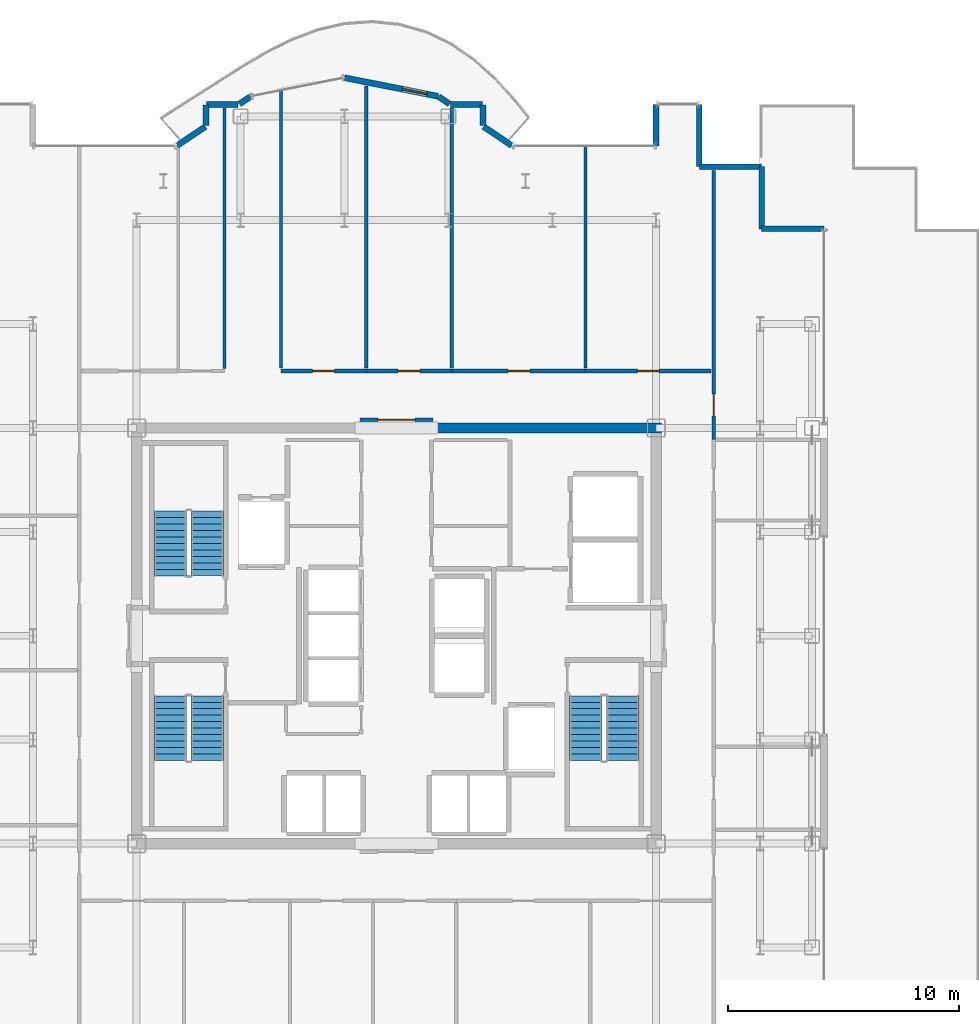
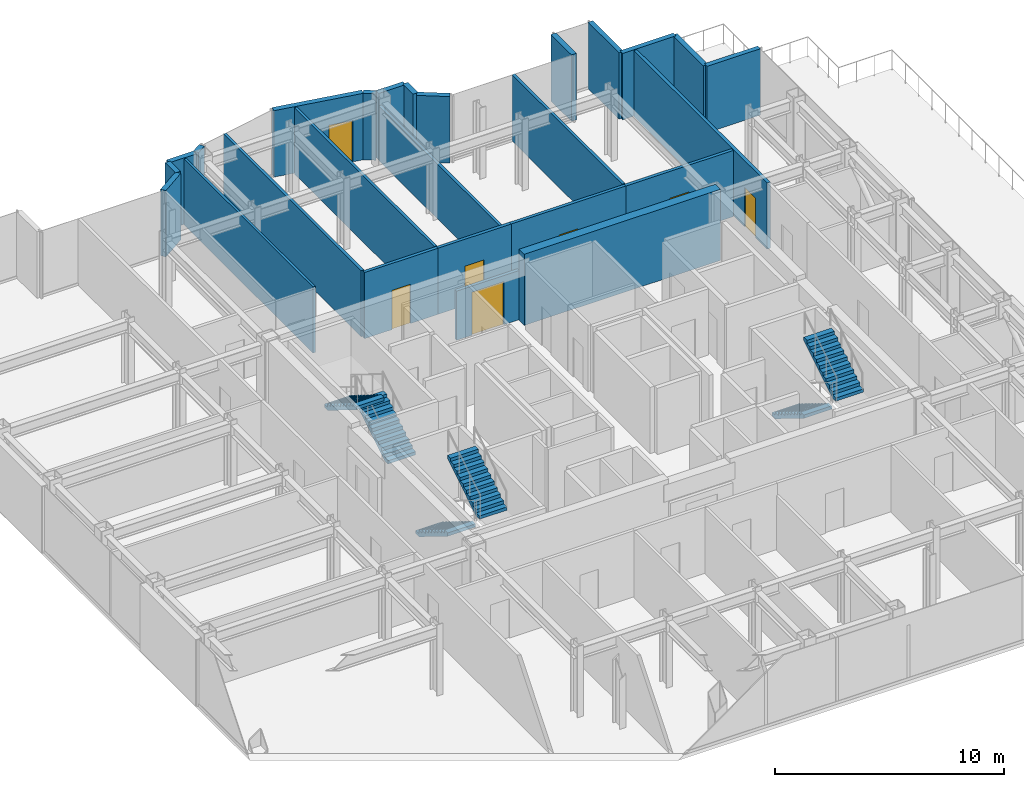
# One storey, part 15 of 17: 26 walls, 7 doors, 6 stair flights, 7 openings, 3 elements without a shape of their own.
"""IFC4 building model written with IfcOpenShell, lengths in metres."""

from ifc_helpers import new_model, si_unit, direction, frame, frame_2d, origin, place, context, subcontext, project, spatial, polyline, rectangle, outline, extrude, source, transform, mapped, material, layer, layer_set, type_object, element, fill, aggregate, save


model = new_model("IFC4")

# Units and contexts
model_context = context("Model", 3, precision=1e-05, world=origin(), true_north=direction((0.0, 1.0)))
body_context = subcontext(model_context, "Body", "Model", "MODEL_VIEW")
ifc_project = project(units=[si_unit("LENGTHUNIT", "METRE"), si_unit("AREAUNIT", "SQUARE_METRE"), si_unit("VOLUMEUNIT", "CUBIC_METRE"), si_unit("PLANEANGLEUNIT", "RADIAN"), si_unit("MASSUNIT", "GRAM", prefix="KILO")], contexts=[model_context])

# Site, building, storey
site_placement = place(None, origin())
site = spatial("IfcSite", under=ifc_project, at=site_placement, CompositionType="ELEMENT")
building_placement = place(site_placement, origin())
building = spatial("IfcBuilding", under=site, at=building_placement, Name="Nefas-Gora Pilgrimage Tower", CompositionType="ELEMENT")
storey_placement = place(building_placement, frame((0.0, 0.0, 264.60009765625)))
storey = spatial("IfcBuildingStorey", under=building, at=storey_placement, Name="L66", CompositionType="ELEMENT", Elevation=264.60009765625)

# Walls
ifc_material_1 = material(Name="Concrete C50/60", Category="concrete")
ifc_layer_1 = layer(ifc_material_1, 0.449951171875)
ifc_layer_set_1 = layer_set([ifc_layer_1], Name="Concrete C50/60")
wall_type_1 = type_object("IfcWallType", Name="SW-CORE-450", PredefinedType="SHEAR", material=ifc_layer_set_1)
shared_shape_1 = source(origin(), body_context, "Body", "SweptSolid", [
    extrude(rectangle(XDim=9.925048828125, YDim=0.449951171875, at=frame_2d((4.96240234375, 0.0))), origin(), (0.0, 0.0, 1.0), 3.7998046875),
])
wall_1_placement = place(storey_placement, frame((1.550048828125, 9.0, 0.0), z_axis=(0.0, 0.0, 1.0), x_axis=(1.0, 0.0, 0.0)))
element("IfcWall", 1, at=wall_1_placement, inside=storey, type_object=wall_type_1, Name="L66 Core Shear Wall N-East", PredefinedType="SHEAR", context=body_context, shape_type="MappedRepresentation", body=[
    mapped(shared_shape_1, transform((0.0, 0.0, 0.0), x_axis=(1.0, 0.0, 0.0), y_axis=(0.0, 1.0, 0.0), z_axis=(0.0, 0.0, 1.0), scale=1.0)),
])
ifc_material_2 = material(Name="Precast concrete C40/50", Category="concrete")
ifc_layer_2 = layer(ifc_material_2, 0.260009765625)
ifc_layer_set_2 = layer_set([ifc_layer_2], Name="Precast concrete C40/50")
wall_type_2 = type_object("IfcWallType", Name="EW-PORTAL-260", PredefinedType="SOLIDWALL", material=ifc_layer_set_2)
shared_shape_2 = source(origin(), body_context, "Body", "SweptSolid", [
    extrude(rectangle(XDim=1.800048828125, YDim=0.260009765625, at=frame_2d((0.89990234375, 0.0))), origin(), (0.0, 0.0, 1.0), 3.5498046875),
])
wall_2_placement = place(storey_placement, frame((11.25, 23.02001953125, 0.0), z_axis=(0.0, 0.0, 1.0), x_axis=(0.0, -1.0, 0.0)))
element("IfcWall", 2, at=wall_2_placement, inside=storey, type_object=wall_type_2, Name="L66 Lobe Shoulder Precast Spandrel Pier 10", PredefinedType="SOLIDWALL", context=body_context, shape_type="MappedRepresentation", body=[
    mapped(shared_shape_2, transform((0.0, 0.0, 0.0), x_axis=(1.0, 0.0, 0.0), y_axis=(0.0, 1.0, 0.0), z_axis=(0.0, 0.0, 1.0), scale=1.0)),
])
ifc_material_3 = material(Name="Precast concrete C45/55", Category="concrete")
ifc_layer_3 = layer(ifc_material_3, 0.239990234375)
ifc_layer_set_3 = layer_set([ifc_layer_3], Name="Precast concrete C45/55")
wall_type_3 = type_object("IfcWallType", Name="EW-SERR-240", PredefinedType="SHEAR", material=ifc_layer_set_3)
shared_shape_3 = source(origin(), body_context, "Body", "SweptSolid", [
    extrude(rectangle(XDim=2.699951171875, YDim=0.239990234375, at=frame_2d((1.35009765625, 0.0))), origin(), (0.0, 0.0, 1.0), 3.5498046875),
])
for number, where, z_axis, x_axis, name in (
    (3, (18.52001953125, 17.6201171875, 0.0), (0.0, 0.0, 1.0), (-1.0, 0.0, 0.0), "L66 Serrated Corner Shear Pier Wall 6"),
    (4, (15.820068359375, 17.6201171875, 0.0), (0.0, 0.0, 1.0), (0.0, 1.0, 0.0), "L66 Serrated Corner Shear Pier Wall 7"),
    (5, (15.820068359375, 20.320068359375, 0.0), (0.0, 0.0, 1.0), (-1.0, 0.0, 0.0), "L66 Serrated Corner Shear Pier Wall 8"),
    (6, (13.1201171875, 20.320068359375, 0.0), (0.0, 0.0, 1.0), (0.0, 1.0, 0.0), "L66 Serrated Corner Shear Pier Wall 9"),
):
    element("IfcWall", number, at=place(storey_placement, frame(where, z_axis=z_axis, x_axis=x_axis)), inside=storey, type_object=wall_type_3, Name=name, PredefinedType="SHEAR", context=body_context, shape_type="MappedRepresentation", body=[
        mapped(shared_shape_3, transform((0.0, 0.0, 0.0), x_axis=(1.0, 0.0, 0.0), y_axis=(0.0, 1.0, 0.0), z_axis=(0.0, 0.0, 1.0), scale=1.0)),
    ])
shared_shape_4 = source(origin(), body_context, "Body", "SweptSolid", [
    extrude(rectangle(XDim=1.468994140625, YDim=0.260009765625, at=frame_2d((0.734375, 0.0))), origin(), (0.0, 0.0, 1.0), 3.5498046875),
])
for number, where, z_axis, x_axis, name in (
    (7, (4.99462890625, 21.235595703125, 0.0), (0.0, 0.0, 1.0), (-0.831461760506, 0.555581983884, 0.0), "L66 Lobe Shoulder Precast Spandrel Pier 11"),
    (8, (-8.273193359375, 22.0517578125, 0.0), (0.0, 0.0, 1.0), (-0.831461760506, -0.555581983884, 0.0), "L66 Lobe Shoulder Precast Spandrel Pier 19"),
):
    element("IfcWall", number, at=place(storey_placement, frame(where, z_axis=z_axis, x_axis=x_axis)), inside=storey, type_object=wall_type_2, Name=name, PredefinedType="SOLIDWALL", context=body_context, shape_type="MappedRepresentation", body=[
        mapped(shared_shape_4, transform((0.0, 0.0, 0.0), x_axis=(1.0, 0.0, 0.0), y_axis=(0.0, 1.0, 0.0), z_axis=(0.0, 0.0, 1.0), scale=1.0)),
    ])
shared_shape_5 = source(origin(), body_context, "Body", "SweptSolid", [
    extrude(rectangle(XDim=0.896728515625, YDim=0.260009765625, at=frame_2d((0.4482421875, 0.0))), origin(), (0.0, 0.0, 1.0), 3.5498046875),
])
for number, where, z_axis, x_axis, name in (
    (9, (3.75, 22.09521484375, 0.0), (0.0, 0.0, 1.0), (0.0, 1.0, 0.0), "L66 Lobe Shoulder Precast Spandrel Pier 12"),
    (10, (-8.25, 22.991943359375, 0.0), (0.0, 0.0, 1.0), (0.0, -1.0, 0.0), "L66 Lobe Shoulder Precast Spandrel Pier 18"),
):
    element("IfcWall", number, at=place(storey_placement, frame(where, z_axis=z_axis, x_axis=x_axis)), inside=storey, type_object=wall_type_2, Name=name, PredefinedType="SOLIDWALL", context=body_context, shape_type="MappedRepresentation", body=[
        mapped(shared_shape_5, transform((0.0, 0.0, 0.0), x_axis=(1.0, 0.0, 0.0), y_axis=(0.0, 1.0, 0.0), z_axis=(0.0, 0.0, 1.0), scale=1.0)),
    ])
shared_shape_6 = source(origin(), body_context, "Body", "SweptSolid", [
    extrude(rectangle(XDim=1.369873046875, YDim=0.260009765625, at=frame_2d((0.68505859375, 0.0))), origin(), (0.0, 0.0, 1.0), 3.5498046875),
])
for number, where, z_axis, x_axis, name in (
    (11, (3.721923828125, 23.02001953125, 0.0), (0.0, 0.0, 1.0), (-1.0, 0.0, 0.0), "L66 Lobe Shoulder Precast Spandrel Pier 13"),
    (12, (-6.85205078125, 23.02001953125, 0.0), (0.0, 0.0, 1.0), (-1.0, 0.0, 0.0), "L66 Lobe Shoulder Precast Spandrel Pier 17"),
):
    element("IfcWall", number, at=place(storey_placement, frame(where, z_axis=z_axis, x_axis=x_axis)), inside=storey, type_object=wall_type_2, Name=name, PredefinedType="SOLIDWALL", context=body_context, shape_type="MappedRepresentation", body=[
        mapped(shared_shape_6, transform((0.0, 0.0, 0.0), x_axis=(1.0, 0.0, 0.0), y_axis=(0.0, 1.0, 0.0), z_axis=(0.0, 0.0, 1.0), scale=1.0)),
    ])
shared_shape_7 = source(origin(), body_context, "Body", "SweptSolid", [
    extrude(rectangle(XDim=0.5654296875, YDim=0.260009765625, at=frame_2d((0.28271484375, 0.0))), origin(), (0.0, 0.0, 1.0), 3.5498046875),
])
for number, where, z_axis, x_axis, name in (
    (13, (2.30078125, 23.03564453125, 0.0), (0.0, 0.0, 1.0), (-0.831651492666, 0.555297933317, 0.0), "L66 Lobe Shoulder Precast Spandrel Pier 14"),
    (14, (-6.33056640625, 23.349609375, 0.0), (0.0, 0.0, 1.0), (-0.831651492666, -0.555297933317, 0.0), "L66 Lobe Shoulder Precast Spandrel Pier 16"),
):
    element("IfcWall", number, at=place(storey_placement, frame(where, z_axis=z_axis, x_axis=x_axis)), inside=storey, type_object=wall_type_2, Name=name, PredefinedType="SOLIDWALL", context=body_context, shape_type="MappedRepresentation", body=[
        mapped(shared_shape_7, transform((0.0, 0.0, 0.0), x_axis=(1.0, 0.0, 0.0), y_axis=(0.0, 1.0, 0.0), z_axis=(0.0, 0.0, 1.0), scale=1.0)),
    ])

# Wall, opening, door
shared_shape_8 = source(origin(), body_context, "Body", "SweptSolid", [
    extrude(rectangle(XDim=4.136962890625, YDim=0.260009765625, at=frame_2d((2.068359375, 0.0))), origin(), (0.0, 0.0, 1.0), 3.5498046875),
])
wall_3_placement = place(storey_placement, frame((1.807373046875, 23.365234375, 0.0), z_axis=(0.0, 0.0, 1.0), x_axis=(-0.980782170794, 0.195105954428, 0.0)))
wall_3 = element("IfcWall", 15, at=wall_3_placement, inside=storey, type_object=wall_type_2, Name="L66 Insulated Terrace Portal Wall 15", PredefinedType="SOLIDWALL", context=body_context, shape_type="MappedRepresentation", body=[
    mapped(shared_shape_8, transform((0.0, 0.0, 0.0), x_axis=(1.0, 0.0, 0.0), y_axis=(0.0, 1.0, 0.0), z_axis=(0.0, 0.0, 1.0), scale=1.0)),
])
opening_1_placement = place(wall_3_placement, frame((0.48779296875, 0.0, 0.0)))
opening_1 = element("IfcOpeningElement", 16, at=opening_1_placement, cuts=wall_3, Name="Opening ED-B1", PredefinedType="OPENING", context=body_context, shape_type="SweptSolid", body=[
    extrude(rectangle(XDim=1.10009765625, YDim=2.199951171875, at=frame_2d((0.550048828125, 1.10009765625))), frame((0.0, 0.139892578125, 0.0), z_axis=(0.0, -1.0, 0.0), x_axis=(1.0, 0.0, 0.0)), (0.0, 0.0, 1.0), 0.280029296875),
])
ifc_material_4 = material(Name="Thermally broken glazed aluminium balcony door", Category="aluminium")
door_type_1 = type_object("IfcDoorType", Name="DR-EXT-BAL-1100", OperationType="NOTDEFINED", PredefinedType="DOOR", material=ifc_material_4)
shared_shape_9 = source(origin(), body_context, "Body", "SweptSolid", [
    extrude(rectangle(XDim=1.10009765625, YDim=2.199951171875, at=frame_2d((0.550048828125, 1.10009765625))), frame((0.0, 0.02490234375, 0.0), z_axis=(0.0, -1.0, 0.0), x_axis=(1.0, 0.0, 0.0)), (0.0, 0.0, 1.0), 0.050048828125),
])
door_1_placement = place(opening_1_placement, origin())
door_1 = element("IfcDoor", 17, at=door_1_placement, inside=storey, type_object=door_type_1, Name="L66 Exterior Door (L66 N Lobe Wave Balcony)", OperationType="SINGLE_SWING_RIGHT", OverallHeight=2.199951171875, OverallWidth=1.10009765625, PredefinedType="DOOR", context=body_context, shape_type="MappedRepresentation", body=[
    mapped(shared_shape_9, transform((0.0, 0.0, 0.0), x_axis=(1.0, 0.0, 0.0), y_axis=(0.0, 1.0, 0.0), z_axis=(0.0, 0.0, 1.0), scale=1.0)),
])
fill(opening_1, door_1)

# Wall
ifc_material_5 = material(Name="Moisture-resistant fire-rated gypsum partition")
ifc_layer_4 = layer(ifc_material_5, 0.1201171875)
ifc_layer_set_4 = layer_set([ifc_layer_4], Name="Moisture-resistant fire-rated gypsum partition")
wall_type_4 = type_object("IfcWallType", Name="IW-WET-120", PredefinedType="PLUMBINGWALL", material=ifc_layer_set_4)
shared_shape_10 = source(origin(), body_context, "Body", "SweptSolid", [
    extrude(rectangle(XDim=11.280029296875, YDim=0.1201171875, at=frame_2d((5.64013671875, 0.0))), origin(), (0.0, 0.0, 1.0), 3.534912109375),
])
wall_4_placement = place(storey_placement, frame((-7.449951171875, 11.570068359375, 0.0), z_axis=(0.0, 0.0, 1.0), x_axis=(0.0, 1.0, 0.0)))
element("IfcWall", 18, at=wall_4_placement, inside=storey, type_object=wall_type_4, Name="L66 Accessible Unisex WC Partition Wall 30", PredefinedType="PLUMBINGWALL", context=body_context, shape_type="MappedRepresentation", body=[
    mapped(shared_shape_10, transform((0.0, 0.0, 0.0), x_axis=(1.0, 0.0, 0.0), y_axis=(0.0, 1.0, 0.0), z_axis=(0.0, 0.0, 1.0), scale=1.0)),
])

# Wall, opening, door
ifc_material_6 = material(Name="Gypsum acoustic stud partition")
ifc_layer_5 = layer(ifc_material_6, 0.159912109375)
ifc_layer_set_5 = layer_set([ifc_layer_5], Name="Gypsum acoustic stud partition")
wall_type_5 = type_object("IfcWallType", Name="IW-CORR-160", PredefinedType="PARTITIONING", material=ifc_layer_set_5)
shared_shape_11 = source(origin(), body_context, "Body", "SweptSolid", [
    extrude(rectangle(XDim=3.704833984375, YDim=0.159912109375, at=frame_2d((1.8525390625, 0.0))), origin(), (0.0, 0.0, 1.0), 3.534912109375),
])
wall_5_placement = place(storey_placement, frame((-5.0048828125, 11.469970703125, 0.0), z_axis=(0.0, 0.0, 1.0), x_axis=(1.0, 0.0, 0.0)))
wall_5 = element("IfcWall", 19, at=wall_5_placement, inside=storey, type_object=wall_type_5, Name="L66 Pilgrim Contemplative Lounge Partition Wall 49", PredefinedType="PARTITIONING", context=body_context, shape_type="MappedRepresentation", body=[
    mapped(shared_shape_11, transform((0.0, 0.0, 0.0), x_axis=(1.0, 0.0, 0.0), y_axis=(0.0, 1.0, 0.0), z_axis=(0.0, 0.0, 1.0), scale=1.0)),
])
opening_2_placement = place(wall_5_placement, frame((1.37744140625, 0.0, 0.0)))
opening_2 = element("IfcOpeningElement", 20, at=opening_2_placement, cuts=wall_5, Name="Opening ID-GR1", PredefinedType="OPENING", context=body_context, shape_type="SweptSolid", body=[
    extrude(rectangle(XDim=0.949951171875, YDim=2.10009765625, at=frame_2d((0.47509765625, 1.050048828125))), frame((0.0, 0.08984375, 0.0), z_axis=(0.0, -1.0, 0.0), x_axis=(1.0, 0.0, 0.0)), (0.0, 0.0, 1.0), 0.179931640625),
])
ifc_material_7 = material(Name="Solid core oak fire-rated guest entrance door")
door_type_2 = type_object("IfcDoorType", Name="DR-INT-GUEST-950", OperationType="NOTDEFINED", PredefinedType="DOOR", material=ifc_material_7)
shared_shape_12 = source(origin(), body_context, "Body", "SweptSolid", [
    extrude(rectangle(XDim=0.949951171875, YDim=2.10009765625, at=frame_2d((0.47509765625, 1.050048828125))), frame((0.0, 0.02490234375, 0.0), z_axis=(0.0, -1.0, 0.0), x_axis=(1.0, 0.0, 0.0)), (0.0, 0.0, 1.0), 0.050048828125),
])
door_2_placement = place(opening_2_placement, origin())
door_2 = element("IfcDoor", 21, at=door_2_placement, inside=storey, type_object=door_type_2, Name="L66 Pilgrim Contemplative Lounge Door 23", OperationType="SINGLE_SWING_LEFT", OverallHeight=2.10009765625, OverallWidth=0.949951171875, PredefinedType="DOOR", context=body_context, shape_type="MappedRepresentation", body=[
    mapped(shared_shape_12, transform((0.0, 0.0, 0.0), x_axis=(1.0, 0.0, 0.0), y_axis=(0.0, 1.0, 0.0), z_axis=(0.0, 0.0, 1.0), scale=1.0)),
])
fill(opening_2, door_2)

# Wall
ifc_material_8 = material(Name="Gypsum twin-stud partition")
ifc_layer_6 = layer(ifc_material_8, 0.139892578125)
ifc_layer_set_6 = layer_set([ifc_layer_6], Name="Gypsum twin-stud partition")
wall_type_6 = type_object("IfcWallType", Name="IW-UNIT-140", PredefinedType="PARTITIONING", material=ifc_layer_set_6)
shared_shape_13 = source(origin(), body_context, "Body", "SweptSolid", [
    extrude(rectangle(XDim=12.056640625, YDim=0.139892578125, at=frame_2d((6.0283203125, 0.0))), origin(), (0.0, 0.0, 1.0), 3.534912109375),
])
wall_6_placement = place(storey_placement, frame((-4.9951171875, 11.590087890625, 0.0), z_axis=(0.0, 0.0, 1.0), x_axis=(0.0, 1.0, 0.0)))
element("IfcWall", 22, at=wall_6_placement, inside=storey, type_object=wall_type_6, Name="L66 Pilgrim Contemplative Lounge Partition Wall 51", PredefinedType="PARTITIONING", context=body_context, shape_type="MappedRepresentation", body=[
    mapped(shared_shape_13, transform((0.0, 0.0, 0.0), x_axis=(1.0, 0.0, 0.0), y_axis=(0.0, 1.0, 0.0), z_axis=(0.0, 0.0, 1.0), scale=1.0)),
])

# Wall, opening, door
shared_shape_14 = source(origin(), body_context, "Body", "SweptSolid", [
    extrude(rectangle(XDim=3.705078125, YDim=0.159912109375, at=frame_2d((1.8525390625, 0.0))), origin(), (0.0, 0.0, 1.0), 3.534912109375),
])
wall_7_placement = place(storey_placement, frame((-1.300048828125, 11.469970703125, 0.0), z_axis=(0.0, 0.0, 1.0), x_axis=(1.0, 0.0, 0.0)))
wall_7 = element("IfcWall", 23, at=wall_7_placement, inside=storey, type_object=wall_type_5, Name="L66 Pilgrim Contemplative Lounge Partition Wall 52", PredefinedType="PARTITIONING", context=body_context, shape_type="MappedRepresentation", body=[
    mapped(shared_shape_14, transform((0.0, 0.0, 0.0), x_axis=(1.0, 0.0, 0.0), y_axis=(0.0, 1.0, 0.0), z_axis=(0.0, 0.0, 1.0), scale=1.0)),
])
opening_3_placement = place(wall_7_placement, frame((1.37744140625, 0.0, 0.0)))
opening_3 = element("IfcOpeningElement", 24, at=opening_3_placement, cuts=wall_7, Name="Opening ID-GR1", PredefinedType="OPENING", context=body_context, shape_type="SweptSolid", body=[
    extrude(rectangle(XDim=0.949951171875, YDim=2.10009765625, at=frame_2d((0.47509765625, 1.050048828125))), frame((0.0, 0.08984375, 0.0), z_axis=(0.0, -1.0, 0.0), x_axis=(1.0, 0.0, 0.0)), (0.0, 0.0, 1.0), 0.179931640625),
])
door_3_placement = place(opening_3_placement, origin())
door_3 = element("IfcDoor", 25, at=door_3_placement, inside=storey, type_object=door_type_2, Name="L66 Pilgrim Contemplative Lounge Door 24", OperationType="SINGLE_SWING_RIGHT", OverallHeight=2.10009765625, OverallWidth=0.949951171875, PredefinedType="DOOR", context=body_context, shape_type="MappedRepresentation", body=[
    mapped(shared_shape_12, transform((0.0, 0.0, 0.0), x_axis=(1.0, 0.0, 0.0), y_axis=(0.0, 1.0, 0.0), z_axis=(0.0, 0.0, 1.0), scale=1.0)),
])
fill(opening_3, door_3)

shared_shape_15 = source(origin(), body_context, "Body", "SweptSolid", [
    extrude(rectangle(XDim=5.81005859375, YDim=0.159912109375, at=frame_2d((2.905029296875, 0.0))), origin(), (0.0, 0.0, 1.0), 3.534912109375),
])
wall_8_placement = place(storey_placement, frame((2.39501953125, 11.469970703125, 0.0), z_axis=(0.0, 0.0, 1.0), x_axis=(1.0, 0.0, 0.0)))
wall_8 = element("IfcWall", 26, at=wall_8_placement, inside=storey, type_object=wall_type_5, Name="L66 Pilgrim Contemplative Lounge Partition Wall 54", PredefinedType="PARTITIONING", context=body_context, shape_type="MappedRepresentation", body=[
    mapped(shared_shape_15, transform((0.0, 0.0, 0.0), x_axis=(1.0, 0.0, 0.0), y_axis=(0.0, 1.0, 0.0), z_axis=(0.0, 0.0, 1.0), scale=1.0)),
])
opening_4_placement = place(wall_8_placement, frame((2.429931640625, 0.0, 0.0)))
opening_4 = element("IfcOpeningElement", 27, at=opening_4_placement, cuts=wall_8, Name="Opening ID-GR1", PredefinedType="OPENING", context=body_context, shape_type="SweptSolid", body=[
    extrude(rectangle(XDim=0.949951171875, YDim=2.10009765625, at=frame_2d((0.47509765625, 1.050048828125))), frame((0.0, 0.08984375, 0.0), z_axis=(0.0, -1.0, 0.0), x_axis=(1.0, 0.0, 0.0)), (0.0, 0.0, 1.0), 0.179931640625),
])
door_4_placement = place(opening_4_placement, origin())
door_4 = element("IfcDoor", 28, at=door_4_placement, inside=storey, type_object=door_type_2, Name="L66 Pilgrim Contemplative Lounge Door 25", OperationType="SINGLE_SWING_LEFT", OverallHeight=2.10009765625, OverallWidth=0.949951171875, PredefinedType="DOOR", context=body_context, shape_type="MappedRepresentation", body=[
    mapped(shared_shape_12, transform((0.0, 0.0, 0.0), x_axis=(1.0, 0.0, 0.0), y_axis=(0.0, 1.0, 0.0), z_axis=(0.0, 0.0, 1.0), scale=1.0)),
])
fill(opening_4, door_4)

# Wall
shared_shape_16 = source(origin(), body_context, "Body", "SweptSolid", [
    extrude(rectangle(XDim=9.64990234375, YDim=0.139892578125, at=frame_2d((4.824951171875, 0.0))), origin(), (0.0, 0.0, 1.0), 3.534912109375),
])
wall_9_placement = place(storey_placement, frame((8.195068359375, 11.590087890625, 0.0), z_axis=(0.0, 0.0, 1.0), x_axis=(0.0, 1.0, 0.0)))
element("IfcWall", 29, at=wall_9_placement, inside=storey, type_object=wall_type_6, Name="L66 Pilgrim Contemplative Lounge Partition Wall 55", PredefinedType="PARTITIONING", context=body_context, shape_type="MappedRepresentation", body=[
    mapped(shared_shape_16, transform((0.0, 0.0, 0.0), x_axis=(1.0, 0.0, 0.0), y_axis=(0.0, 1.0, 0.0), z_axis=(0.0, 0.0, 1.0), scale=1.0)),
])

# Wall, opening, door
shared_shape_17 = source(origin(), body_context, "Body", "SweptSolid", [
    extrude(rectangle(XDim=5.425048828125, YDim=0.159912109375, at=frame_2d((2.71240234375, 0.0))), origin(), (0.0, 0.0, 1.0), 3.534912109375),
])
wall_10_placement = place(storey_placement, frame((8.195068359375, 11.469970703125, 0.0), z_axis=(0.0, 0.0, 1.0), x_axis=(1.0, 0.0, 0.0)))
wall_10 = element("IfcWall", 30, at=wall_10_placement, inside=storey, type_object=wall_type_5, Name="L66 Pilgrim Contemplative Lounge Partition Wall 56", PredefinedType="PARTITIONING", context=body_context, shape_type="MappedRepresentation", body=[
    mapped(shared_shape_17, transform((0.0, 0.0, 0.0), x_axis=(1.0, 0.0, 0.0), y_axis=(0.0, 1.0, 0.0), z_axis=(0.0, 0.0, 1.0), scale=1.0)),
])
opening_5_placement = place(wall_10_placement, frame((2.237548828125, 0.0, 0.0)))
opening_5 = element("IfcOpeningElement", 31, at=opening_5_placement, cuts=wall_10, Name="Opening ID-GR1", PredefinedType="OPENING", context=body_context, shape_type="SweptSolid", body=[
    extrude(rectangle(XDim=0.949951171875, YDim=2.10009765625, at=frame_2d((0.47509765625, 1.050048828125))), frame((0.0, 0.08984375, 0.0), z_axis=(0.0, -1.0, 0.0), x_axis=(1.0, 0.0, 0.0)), (0.0, 0.0, 1.0), 0.179931640625),
])
door_5_placement = place(opening_5_placement, origin())
door_5 = element("IfcDoor", 32, at=door_5_placement, inside=storey, type_object=door_type_2, Name="L66 Pilgrim Contemplative Lounge Door 26", OperationType="SINGLE_SWING_RIGHT", OverallHeight=2.10009765625, OverallWidth=0.949951171875, PredefinedType="DOOR", context=body_context, shape_type="MappedRepresentation", body=[
    mapped(shared_shape_12, transform((0.0, 0.0, 0.0), x_axis=(1.0, 0.0, 0.0), y_axis=(0.0, 1.0, 0.0), z_axis=(0.0, 0.0, 1.0), scale=1.0)),
])
fill(opening_5, door_5)

shared_shape_18 = source(origin(), body_context, "Body", "SweptSolid", [
    extrude(rectangle(XDim=3.16015625, YDim=0.159912109375, at=frame_2d((1.580078125, 0.0))), origin(), (0.0, 0.0, 1.0), 2.625),
])
wall_11_placement = place(storey_placement, frame((-1.580078125, 9.35009765625, 0.0), z_axis=(0.0, 0.0, 1.0), x_axis=(1.0, 0.0, 0.0)))
wall_11 = element("IfcWall", 33, at=wall_11_placement, inside=storey, type_object=wall_type_5, Name="L66 Central Lift Lobby North Portal Wall 15", PredefinedType="PARTITIONING", context=body_context, shape_type="MappedRepresentation", body=[
    mapped(shared_shape_18, transform((0.0, 0.0, 0.0), x_axis=(1.0, 0.0, 0.0), y_axis=(0.0, 1.0, 0.0), z_axis=(0.0, 0.0, 1.0), scale=1.0)),
])
opening_6_placement = place(wall_11_placement, frame((0.780029296875, 0.0, 0.0)))
opening_6 = element("IfcOpeningElement", 34, at=opening_6_placement, cuts=wall_11, Name="Opening ID-HL1", PredefinedType="OPENING", context=body_context, shape_type="SweptSolid", body=[
    extrude(rectangle(XDim=1.60009765625, YDim=2.300048828125, at=frame_2d((0.800048828125, 1.14990234375))), frame((0.0, 0.08984375, 0.0), z_axis=(0.0, -1.0, 0.0), x_axis=(1.0, 0.0, 0.0)), (0.0, 0.0, 1.0), 0.179931640625),
])
ifc_material_9 = material(Name="Double acoustic timber assembly hall door", Category="wood")
door_type_3 = type_object("IfcDoorType", Name="DR-INT-HALL-1600", OperationType="DOUBLE_DOOR_SINGLE_SWING", PredefinedType="DOOR", material=ifc_material_9)
shared_shape_19 = source(origin(), body_context, "Body", "SweptSolid", [
    extrude(rectangle(XDim=1.60009765625, YDim=2.300048828125, at=frame_2d((0.800048828125, 1.14990234375))), frame((0.0, 0.02490234375, 0.0), z_axis=(0.0, -1.0, 0.0), x_axis=(1.0, 0.0, 0.0)), (0.0, 0.0, 1.0), 0.050048828125),
])
door_6_placement = place(opening_6_placement, origin())
door_6 = element("IfcDoor", 35, at=door_6_placement, inside=storey, type_object=door_type_3, Name="L66 Central Lift Lobby North Portal Door 5", OperationType="DOUBLE_DOOR_SINGLE_SWING", OverallHeight=2.300048828125, OverallWidth=1.60009765625, PredefinedType="DOOR", context=body_context, shape_type="MappedRepresentation", body=[
    mapped(shared_shape_19, transform((0.0, 0.0, 0.0), x_axis=(1.0, 0.0, 0.0), y_axis=(0.0, 1.0, 0.0), z_axis=(0.0, 0.0, 1.0), scale=1.0)),
])
fill(opening_6, door_6)

shared_shape_20 = source(origin(), body_context, "Body", "SweptSolid", [
    extrude(rectangle(XDim=11.664794921875, YDim=0.159912109375, at=frame_2d((5.83251953125, 0.0))), origin(), (0.0, 0.0, 1.0), 3.534912109375),
])
wall_12_placement = place(storey_placement, frame((13.739990234375, 8.4951171875, 0.0), z_axis=(0.0, 0.0, 1.0), x_axis=(0.0, 1.0, 0.0)))
wall_12 = element("IfcWall", 36, at=wall_12_placement, inside=storey, type_object=wall_type_5, Name="L66 Pilgrim Contemplative Lounge Partition Wall 47", PredefinedType="PARTITIONING", context=body_context, shape_type="MappedRepresentation", body=[
    mapped(shared_shape_20, transform((0.0, 0.0, 0.0), x_axis=(1.0, 0.0, 0.0), y_axis=(0.0, 1.0, 0.0), z_axis=(0.0, 0.0, 1.0), scale=1.0)),
])
opening_7_placement = place(wall_12_placement, frame((1.032470703125, 0.0, 0.0)))
opening_7 = element("IfcOpeningElement", 37, at=opening_7_placement, cuts=wall_12, Name="Opening ID-GR1", PredefinedType="OPENING", context=body_context, shape_type="SweptSolid", body=[
    extrude(rectangle(XDim=0.949951171875, YDim=2.10009765625, at=frame_2d((0.47509765625, 1.050048828125))), frame((0.0, 0.08984375, 0.0), z_axis=(0.0, -1.0, 0.0), x_axis=(1.0, 0.0, 0.0)), (0.0, 0.0, 1.0), 0.179931640625),
])
door_7_placement = place(opening_7_placement, origin())
door_7 = element("IfcDoor", 38, at=door_7_placement, inside=storey, type_object=door_type_2, Name="L66 Pilgrim Contemplative Lounge Door 21", OperationType="SINGLE_SWING_LEFT", OverallHeight=2.10009765625, OverallWidth=0.949951171875, PredefinedType="DOOR", context=body_context, shape_type="MappedRepresentation", body=[
    mapped(shared_shape_12, transform((0.0, 0.0, 0.0), x_axis=(1.0, 0.0, 0.0), y_axis=(0.0, 1.0, 0.0), z_axis=(0.0, 0.0, 1.0), scale=1.0)),
])
fill(opening_7, door_7)

# Walls
shared_shape_21 = source(origin(), body_context, "Body", "SweptSolid", [
    extrude(rectangle(XDim=12.22216796875, YDim=0.139892578125, at=frame_2d((6.111083984375, 0.0))), origin(), (0.0, 0.0, 1.0), 3.534912109375),
])
wall_13_placement = place(storey_placement, frame((-1.31005859375, 11.590087890625, 0.0), z_axis=(0.0, 0.0, 1.0), x_axis=(0.0, 1.0, 0.0)))
element("IfcWall", 39, at=wall_13_placement, inside=storey, type_object=wall_type_6, Name="L66 Pilgrim Contemplative Lounge Partition Wall 50", PredefinedType="PARTITIONING", context=body_context, shape_type="MappedRepresentation", body=[
    mapped(shared_shape_21, transform((0.0, 0.0, 0.0), x_axis=(1.0, 0.0, 0.0), y_axis=(0.0, 1.0, 0.0), z_axis=(0.0, 0.0, 1.0), scale=1.0)),
])
shared_shape_22 = source(origin(), body_context, "Body", "SweptSolid", [
    extrude(rectangle(XDim=11.260009765625, YDim=0.139892578125, at=frame_2d((5.6298828125, 0.0))), origin(), (0.0, 0.0, 1.0), 2.9248046875),
])
wall_14_placement = place(storey_placement, frame((2.39501953125, 11.590087890625, 0.0), z_axis=(0.0, 0.0, 1.0), x_axis=(0.0, 1.0, 0.0)))
element("IfcWall", 40, at=wall_14_placement, inside=storey, type_object=wall_type_6, Name="L66 Pilgrim Contemplative Lounge Partition Wall 53", PredefinedType="PARTITIONING", context=body_context, shape_type="MappedRepresentation", body=[
    mapped(shared_shape_22, transform((0.0, 0.0, 0.0), x_axis=(1.0, 0.0, 0.0), y_axis=(0.0, 1.0, 0.0), z_axis=(0.0, 0.0, 1.0), scale=1.0)),
])

# Stair, stair flights
ifc_material_10 = material(Name="Concrete C45/55", Category="concrete")
stair_type = type_object("IfcStairType", Name="STR-1400-R1727", PredefinedType="HALF_TURN_STAIR", material=ifc_material_10)
stair_1_placement = place(storey_placement, origin())
stair_1 = element("IfcStair", 41, at=stair_1_placement, inside=storey, type_object=stair_type, Name="L66 Pressurised Tower Exit Stair ST-01", PredefinedType="HALF_TURN_STAIR")
stair_flight_type = type_object("IfcStairFlightType", Name="STF-1400-R1727", PredefinedType="STRAIGHT", material=ifc_material_10)
shared_shape_23 = source(origin(), body_context, "Body", "SweptSolid", [
    extrude(outline(polyline([(0.0, 0.0), (0.0, 0.172607421875), (0.280029296875, 0.172607421875), (0.280029296875, 0.345458984375), (0.56005859375, 0.345458984375), (0.56005859375, 0.51806640625), (0.840087890625, 0.51806640625), (0.840087890625, 0.69091796875), (1.1201171875, 0.69091796875), (1.1201171875, 0.863525390625), (1.39990234375, 0.863525390625), (1.39990234375, 1.036376953125), (1.679931640625, 1.036376953125), (1.679931640625, 1.208984375), (1.9599609375, 1.208984375), (1.9599609375, 1.3818359375), (2.239990234375, 1.3818359375), (2.239990234375, 1.554443359375), (2.52001953125, 1.554443359375), (2.52001953125, 1.727294921875), (2.800048828125, 1.727294921875), (2.800048828125, 1.89990234375), (2.800048828125, 1.551025390625), (0.285400390625, 0.0), (0.0, 0.0)])), frame((0.0, 0.699951171875, 0.0), z_axis=(0.0, -1.0, 0.0), x_axis=(1.0, 0.0, 0.0)), (0.0, 0.0, 1.0), 1.39990234375),
])
stair_flight_1_placement = place(storey_placement, frame((-8.199951171875, 2.60009765625, 0.0), z_axis=(0.0, 0.0, 1.0), x_axis=(0.0, 1.0, 0.0)))
stair_flight_1 = element("IfcStairFlight", 42, at=stair_flight_1_placement, type_object=stair_flight_type, Name="ST-01 flight 1", NumberOfRisers=11, NumberOfTreads=10, PredefinedType="STRAIGHT", RiserHeight=0.172727273, TreadLength=0.28, context=body_context, shape_type="MappedRepresentation", body=[
    mapped(shared_shape_23, transform((0.0, 0.0, 0.0), x_axis=(1.0, 0.0, 0.0), y_axis=(0.0, 1.0, 0.0), z_axis=(0.0, 0.0, 1.0), scale=1.0)),
])
stair_flight_2_placement = place(storey_placement, frame((-9.800048828125, 5.39990234375, 1.89990234375), z_axis=(0.0, 0.0, 1.0), x_axis=(0.0, -1.0, 0.0)))
stair_flight_2 = element("IfcStairFlight", 43, at=stair_flight_2_placement, type_object=stair_flight_type, Name="ST-01 flight 2", NumberOfRisers=11, NumberOfTreads=10, PredefinedType="STRAIGHT", RiserHeight=0.172727273, TreadLength=0.28, context=body_context, shape_type="MappedRepresentation", body=[
    mapped(shared_shape_23, transform((0.0, 0.0, 0.0), x_axis=(1.0, 0.0, 0.0), y_axis=(0.0, 1.0, 0.0), z_axis=(0.0, 0.0, 1.0), scale=1.0)),
])
aggregate(stair_1, [stair_flight_1, stair_flight_2])

stair_2_placement = place(storey_placement, origin())
stair_2 = element("IfcStair", 44, at=stair_2_placement, inside=storey, type_object=stair_type, Name="L66 Pressurised Tower Exit Stair ST-02", PredefinedType="HALF_TURN_STAIR")
stair_flight_3_placement = place(storey_placement, frame((8.199951171875, -2.60009765625, 0.0), z_axis=(0.0, 0.0, 1.0), x_axis=(0.0, -1.0, 0.0)))
stair_flight_3 = element("IfcStairFlight", 45, at=stair_flight_3_placement, type_object=stair_flight_type, Name="ST-02 flight 1", NumberOfRisers=11, NumberOfTreads=10, PredefinedType="STRAIGHT", RiserHeight=0.172727273, TreadLength=0.28, context=body_context, shape_type="MappedRepresentation", body=[
    mapped(shared_shape_23, transform((0.0, 0.0, 0.0), x_axis=(1.0, 0.0, 0.0), y_axis=(0.0, 1.0, 0.0), z_axis=(0.0, 0.0, 1.0), scale=1.0)),
])
stair_flight_4_placement = place(storey_placement, frame((9.800048828125, -5.39990234375, 1.89990234375), z_axis=(0.0, 0.0, 1.0), x_axis=(0.0, 1.0, 0.0)))
stair_flight_4 = element("IfcStairFlight", 46, at=stair_flight_4_placement, type_object=stair_flight_type, Name="ST-02 flight 2", NumberOfRisers=11, NumberOfTreads=10, PredefinedType="STRAIGHT", RiserHeight=0.172727273, TreadLength=0.28, context=body_context, shape_type="MappedRepresentation", body=[
    mapped(shared_shape_23, transform((0.0, 0.0, 0.0), x_axis=(1.0, 0.0, 0.0), y_axis=(0.0, 1.0, 0.0), z_axis=(0.0, 0.0, 1.0), scale=1.0)),
])
aggregate(stair_2, [stair_flight_3, stair_flight_4])

stair_3_placement = place(storey_placement, origin())
stair_3 = element("IfcStair", 47, at=stair_3_placement, inside=storey, type_object=stair_type, Name="L66 Pressurised Tower Exit Stair ST-03", PredefinedType="HALF_TURN_STAIR")
stair_flight_5_placement = place(storey_placement, frame((-9.800048828125, -2.60009765625, 0.0), z_axis=(0.0, 0.0, 1.0), x_axis=(0.0, -1.0, 0.0)))
stair_flight_5 = element("IfcStairFlight", 48, at=stair_flight_5_placement, type_object=stair_flight_type, Name="ST-03 flight 1", NumberOfRisers=11, NumberOfTreads=10, PredefinedType="STRAIGHT", RiserHeight=0.172727273, TreadLength=0.28, context=body_context, shape_type="MappedRepresentation", body=[
    mapped(shared_shape_23, transform((0.0, 0.0, 0.0), x_axis=(1.0, 0.0, 0.0), y_axis=(0.0, 1.0, 0.0), z_axis=(0.0, 0.0, 1.0), scale=1.0)),
])
stair_flight_6_placement = place(storey_placement, frame((-8.199951171875, -5.39990234375, 1.89990234375), z_axis=(0.0, 0.0, 1.0), x_axis=(0.0, 1.0, 0.0)))
stair_flight_6 = element("IfcStairFlight", 49, at=stair_flight_6_placement, type_object=stair_flight_type, Name="ST-03 flight 2", NumberOfRisers=11, NumberOfTreads=10, PredefinedType="STRAIGHT", RiserHeight=0.172727273, TreadLength=0.28, context=body_context, shape_type="MappedRepresentation", body=[
    mapped(shared_shape_23, transform((0.0, 0.0, 0.0), x_axis=(1.0, 0.0, 0.0), y_axis=(0.0, 1.0, 0.0), z_axis=(0.0, 0.0, 1.0), scale=1.0)),
])
aggregate(stair_3, [stair_flight_5, stair_flight_6])

save(model, "model.ifc")
